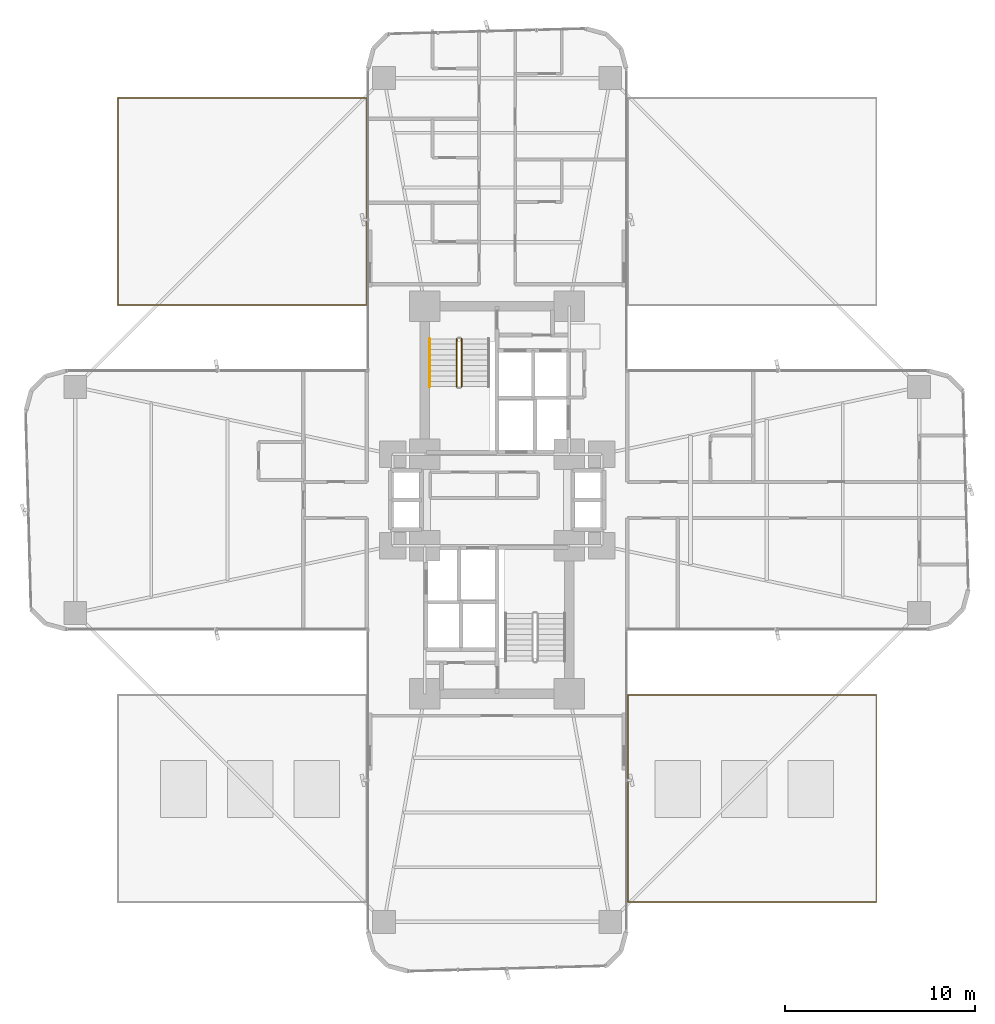
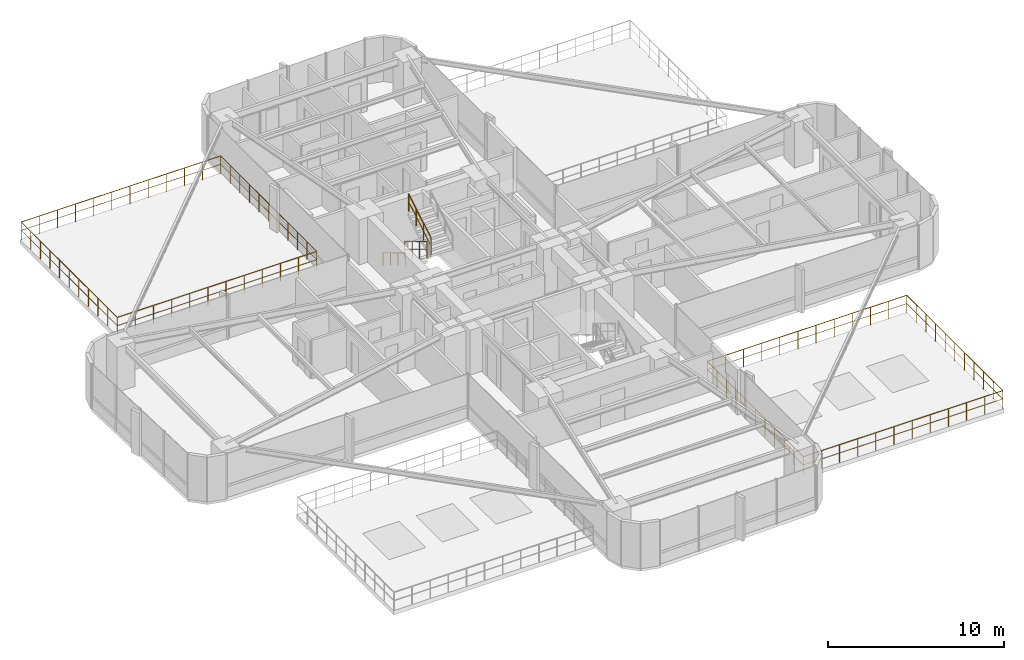
# One storey, part 26 of 27: 5 railings.
"""IFC4 building model written with IfcOpenShell, lengths in metres."""

from ifc_helpers import new_model, si_unit, direction, frame, origin, origin_2d, place, context, subcontext, project, spatial, circle, extrude, material, type_object, element, save


model = new_model("IFC4")

# Units and contexts
model_context = context("Model", 3, precision=1e-05, world=origin(), true_north=direction((0.0, 1.0)))
body_context = subcontext(model_context, "Body", "Model", "MODEL_VIEW")
ifc_project = project(units=[si_unit("LENGTHUNIT", "METRE"), si_unit("AREAUNIT", "SQUARE_METRE"), si_unit("VOLUMEUNIT", "CUBIC_METRE"), si_unit("PLANEANGLEUNIT", "RADIAN"), si_unit("MASSUNIT", "GRAM", prefix="KILO")], contexts=[model_context])

# Site, building, storey
site_placement = place(None, origin())
site = spatial("IfcSite", under=ifc_project, at=site_placement, CompositionType="ELEMENT")
building_placement = place(site_placement, origin())
building = spatial("IfcBuilding", under=site, at=building_placement, Name="Sahyath Konkavel Grand Hotel", CompositionType="ELEMENT")
storey_placement = place(building_placement, frame((0.0, 0.0, 23.10009765625)))
storey = spatial("IfcBuildingStorey", under=building, at=storey_placement, Name="L05", CompositionType="ELEMENT", Elevation=23.10009765625)

# Railings
ifc_material_1 = material(Name="Steel E350", Category="steel")
railing_type_1 = type_object("IfcRailingType", Name="RLG-STAIR-GRD", PredefinedType="GUARDRAIL", material=ifc_material_1)
railing_1_placement = place(storey_placement, frame((-2.1298828125, 8.47998046875, 0.16748046875)))
element("IfcRailing", 1, at=railing_1_placement, inside=storey, type_object=railing_type_1, Name="L05 ST-1 stair guard 1", PredefinedType="GUARDRAIL", context=body_context, shape_type="SweptSolid", body=[
    extrude(circle(Radius=0.02392578125, at=origin_2d()), frame((0.0, -0.001708984375, 1.177001953125), z_axis=(0.0, -0.858196387827, 0.513321497621), x_axis=(1.0, 0.0, 0.0)), (0.0, 0.0, 1.0), 2.932373046875),
    extrude(circle(Radius=0.01416015625, at=origin_2d()), frame((0.0, -0.001708984375, 0.625), z_axis=(0.0, -0.858196387827, 0.513321497621), x_axis=(1.0, 0.0, 0.0)), (0.0, 0.0, 1.0), 2.932373046875),
    extrude(circle(Radius=0.02099609375, at=origin_2d()), origin(), (0.0, 0.0, 1.0), 1.15185546875),
    extrude(circle(Radius=0.02099609375, at=origin_2d()), frame((0.0, -0.840087890625, 0.50244140625)), (0.0, 0.0, 1.0), 1.15185546875),
    extrude(circle(Radius=0.02099609375, at=origin_2d()), frame((0.0, -1.679931640625, 1.0048828125)), (0.0, 0.0, 1.0), 1.15185546875),
    extrude(circle(Radius=0.02099609375, at=origin_2d()), frame((0.0, -2.52001953125, 1.50732421875)), (0.0, 0.0, 1.0), 1.15185546875),
])
railing_2_placement = place(storey_placement, frame((-1.8701171875, 5.9599609375, 1.84228515625)))
element("IfcRailing", 2, at=railing_2_placement, inside=storey, type_object=railing_type_1, Name="L05 ST-1 stair guard 3", PredefinedType="GUARDRAIL", context=body_context, shape_type="SweptSolid", body=[
    extrude(circle(Radius=0.02392578125, at=origin_2d()), frame((0.0, 0.001708984375, 1.177001953125), z_axis=(0.0, 0.858159760407, 0.513382728203), x_axis=(-1.0, 0.0, 0.0)), (0.0, 0.0, 1.0), 2.9326171875),
    extrude(circle(Radius=0.01416015625, at=origin_2d()), frame((0.0, 0.001708984375, 0.625), z_axis=(0.0, 0.858159760407, 0.513382728203), x_axis=(-1.0, 0.0, 0.0)), (0.0, 0.0, 1.0), 2.9326171875),
    extrude(circle(Radius=0.02099609375, at=origin_2d()), origin(), (0.0, 0.0, 1.0), 1.15185546875),
    extrude(circle(Radius=0.02099609375, at=origin_2d()), frame((0.0, 0.840087890625, 0.50244140625)), (0.0, 0.0, 1.0), 1.15185546875),
    extrude(circle(Radius=0.02099609375, at=origin_2d()), frame((0.0, 1.679931640625, 1.005126953125)), (0.0, 0.0, 1.0), 1.15185546875),
    extrude(circle(Radius=0.02099609375, at=origin_2d()), frame((0.0, 2.52001953125, 1.507568359375)), (0.0, 0.0, 1.0), 1.15185546875),
])
ifc_material_2 = material(Name="Anodised Bronze Aluminium", Category="aluminium")
railing_type_2 = type_object("IfcRailingType", Name="RLG-STAIR-HND", PredefinedType="HANDRAIL", material=ifc_material_2)
railing_3_placement = place(storey_placement, frame((-3.550048828125, 8.47998046875, 0.16748046875)))
element("IfcRailing", 3, at=railing_3_placement, inside=storey, type_object=railing_type_2, Name="L05 ST-1 stair handrail 1", PredefinedType="HANDRAIL", context=body_context, shape_type="SweptSolid", body=[
    extrude(circle(Radius=0.02392578125, at=origin_2d()), frame((0.0, -0.001708984375, 0.876953125), z_axis=(0.0, -0.858196387827, 0.513321497621), x_axis=(1.0, 0.0, 0.0)), (0.0, 0.0, 1.0), 2.932373046875),
    extrude(circle(Radius=0.02099609375, at=origin_2d()), origin(), (0.0, 0.0, 1.0), 0.851806640625),
    extrude(circle(Radius=0.02099609375, at=origin_2d()), frame((0.0, -0.840087890625, 0.50244140625)), (0.0, 0.0, 1.0), 0.851806640625),
    extrude(circle(Radius=0.02099609375, at=origin_2d()), frame((0.0, -1.679931640625, 1.0048828125)), (0.0, 0.0, 1.0), 0.851806640625),
    extrude(circle(Radius=0.02099609375, at=origin_2d()), frame((0.0, -2.52001953125, 1.50732421875)), (0.0, 0.0, 1.0), 0.851806640625),
])
ifc_material_3 = material(Name="Warm Buff Sandstone & Bronze Balustrade", Category="masonry")
railing_type_3 = type_object("IfcRailingType", Name="RLG-TERR-1250", PredefinedType="BALUSTRADE", material=ifc_material_3)
railing_4_placement = place(storey_placement, frame((-19.949951171875, 10.25, 0.0)))
element("IfcRailing", 4, at=railing_4_placement, inside=storey, type_object=railing_type_3, Name="Podium Roof Terrace Guard NW", PredefinedType="BALUSTRADE", context=body_context, shape_type="SweptSolid", body=[
    extrude(circle(Radius=0.02392578125, at=origin_2d()), frame((0.001953125, 0.0, 1.22607421875), z_axis=(1.0, 0.0, 0.0), x_axis=(0.0, 1.0, 0.0)), (0.0, 0.0, 1.0), 13.066162109375),
    extrude(circle(Radius=0.01416015625, at=origin_2d()), frame((0.001953125, 0.0, 0.64990234375), z_axis=(1.0, 0.0, 0.0), x_axis=(0.0, 1.0, 0.0)), (0.0, 0.0, 1.0), 13.066162109375),
    extrude(circle(Radius=0.02392578125, at=origin_2d()), frame((13.070068359375, 0.001953125, 1.22607421875), z_axis=(0.0, 1.0, 0.0), x_axis=(-1.0, 0.0, 0.0)), (0.0, 0.0, 1.0), 10.89599609375),
    extrude(circle(Radius=0.01416015625, at=origin_2d()), frame((13.070068359375, 0.001953125, 0.64990234375), z_axis=(0.0, 1.0, 0.0), x_axis=(-1.0, 0.0, 0.0)), (0.0, 0.0, 1.0), 10.89599609375),
    extrude(circle(Radius=0.02392578125, at=origin_2d()), frame((13.068115234375, 10.89990234375, 1.22607421875), z_axis=(-1.0, 0.0, 0.0), x_axis=(0.0, -1.0, 0.0)), (0.0, 0.0, 1.0), 13.066162109375),
    extrude(circle(Radius=0.01416015625, at=origin_2d()), frame((13.068115234375, 10.89990234375, 0.64990234375), z_axis=(-1.0, 0.0, 0.0), x_axis=(0.0, -1.0, 0.0)), (0.0, 0.0, 1.0), 13.066162109375),
    extrude(circle(Radius=0.02392578125, at=origin_2d()), frame((0.0, 10.89794921875, 1.22607421875), z_axis=(0.0, -1.0, 0.0), x_axis=(1.0, 0.0, 0.0)), (0.0, 0.0, 1.0), 10.89599609375),
    extrude(circle(Radius=0.01416015625, at=origin_2d()), frame((0.0, 10.89794921875, 0.64990234375), z_axis=(0.0, -1.0, 0.0), x_axis=(1.0, 0.0, 0.0)), (0.0, 0.0, 1.0), 10.89599609375),
    extrude(circle(Radius=0.02099609375, at=origin_2d()), origin(), (0.0, 0.0, 1.0), 1.201904296875),
    extrude(circle(Radius=0.02099609375, at=origin_2d()), frame((1.188232421875, 0.0, 0.0)), (0.0, 0.0, 1.0), 1.201904296875),
    extrude(circle(Radius=0.02099609375, at=origin_2d()), frame((2.37646484375, 0.0, 0.0)), (0.0, 0.0, 1.0), 1.201904296875),
    extrude(circle(Radius=0.02099609375, at=origin_2d()), frame((3.564453125, 0.0, 0.0)), (0.0, 0.0, 1.0), 1.201904296875),
    extrude(circle(Radius=0.02099609375, at=origin_2d()), frame((4.752685546875, 0.0, 0.0)), (0.0, 0.0, 1.0), 1.201904296875),
    extrude(circle(Radius=0.02099609375, at=origin_2d()), frame((5.94091796875, 0.0, 0.0)), (0.0, 0.0, 1.0), 1.201904296875),
    extrude(circle(Radius=0.02099609375, at=origin_2d()), frame((7.129150390625, 0.0, 0.0)), (0.0, 0.0, 1.0), 1.201904296875),
    extrude(circle(Radius=0.02099609375, at=origin_2d()), frame((8.3173828125, 0.0, 0.0)), (0.0, 0.0, 1.0), 1.201904296875),
    extrude(circle(Radius=0.02099609375, at=origin_2d()), frame((9.505615234375, 0.0, 0.0)), (0.0, 0.0, 1.0), 1.201904296875),
    extrude(circle(Radius=0.02099609375, at=origin_2d()), frame((10.693603515625, 0.0, 0.0)), (0.0, 0.0, 1.0), 1.201904296875),
    extrude(circle(Radius=0.02099609375, at=origin_2d()), frame((11.8818359375, 0.0, 0.0)), (0.0, 0.0, 1.0), 1.201904296875),
    extrude(circle(Radius=0.02099609375, at=origin_2d()), frame((13.070068359375, 0.0, 0.0)), (0.0, 0.0, 1.0), 1.201904296875),
    extrude(circle(Radius=0.02099609375, at=origin_2d()), frame((13.070068359375, 1.090087890625, 0.0)), (0.0, 0.0, 1.0), 1.201904296875),
    extrude(circle(Radius=0.02099609375, at=origin_2d()), frame((13.070068359375, 2.179931640625, 0.0)), (0.0, 0.0, 1.0), 1.201904296875),
    extrude(circle(Radius=0.02099609375, at=origin_2d()), frame((13.070068359375, 3.27001953125, 0.0)), (0.0, 0.0, 1.0), 1.201904296875),
    extrude(circle(Radius=0.02099609375, at=origin_2d()), frame((13.070068359375, 4.35986328125, 0.0)), (0.0, 0.0, 1.0), 1.201904296875),
    extrude(circle(Radius=0.02099609375, at=origin_2d()), frame((13.070068359375, 5.449951171875, 0.0)), (0.0, 0.0, 1.0), 1.201904296875),
    extrude(circle(Radius=0.02099609375, at=origin_2d()), frame((13.070068359375, 6.5400390625, 0.0)), (0.0, 0.0, 1.0), 1.201904296875),
    extrude(circle(Radius=0.02099609375, at=origin_2d()), frame((13.070068359375, 7.6298828125, 0.0)), (0.0, 0.0, 1.0), 1.201904296875),
    extrude(circle(Radius=0.02099609375, at=origin_2d()), frame((13.070068359375, 8.719970703125, 0.0)), (0.0, 0.0, 1.0), 1.201904296875),
    extrude(circle(Radius=0.02099609375, at=origin_2d()), frame((13.070068359375, 9.809814453125, 0.0)), (0.0, 0.0, 1.0), 1.201904296875),
    extrude(circle(Radius=0.02099609375, at=origin_2d()), frame((13.070068359375, 10.89990234375, 0.0)), (0.0, 0.0, 1.0), 1.201904296875),
    extrude(circle(Radius=0.02099609375, at=origin_2d()), frame((11.8818359375, 10.89990234375, 0.0)), (0.0, 0.0, 1.0), 1.201904296875),
    extrude(circle(Radius=0.02099609375, at=origin_2d()), frame((10.693603515625, 10.89990234375, 0.0)), (0.0, 0.0, 1.0), 1.201904296875),
    extrude(circle(Radius=0.02099609375, at=origin_2d()), frame((9.505615234375, 10.89990234375, 0.0)), (0.0, 0.0, 1.0), 1.201904296875),
    extrude(circle(Radius=0.02099609375, at=origin_2d()), frame((8.3173828125, 10.89990234375, 0.0)), (0.0, 0.0, 1.0), 1.201904296875),
    extrude(circle(Radius=0.02099609375, at=origin_2d()), frame((7.129150390625, 10.89990234375, 0.0)), (0.0, 0.0, 1.0), 1.201904296875),
    extrude(circle(Radius=0.02099609375, at=origin_2d()), frame((5.94091796875, 10.89990234375, 0.0)), (0.0, 0.0, 1.0), 1.201904296875),
    extrude(circle(Radius=0.02099609375, at=origin_2d()), frame((4.752685546875, 10.89990234375, 0.0)), (0.0, 0.0, 1.0), 1.201904296875),
    extrude(circle(Radius=0.02099609375, at=origin_2d()), frame((3.564453125, 10.89990234375, 0.0)), (0.0, 0.0, 1.0), 1.201904296875),
    extrude(circle(Radius=0.02099609375, at=origin_2d()), frame((2.37646484375, 10.89990234375, 0.0)), (0.0, 0.0, 1.0), 1.201904296875),
    extrude(circle(Radius=0.02099609375, at=origin_2d()), frame((1.188232421875, 10.89990234375, 0.0)), (0.0, 0.0, 1.0), 1.201904296875),
    extrude(circle(Radius=0.02099609375, at=origin_2d()), frame((0.0, 10.89990234375, 0.0)), (0.0, 0.0, 1.0), 1.201904296875),
    extrude(circle(Radius=0.02099609375, at=origin_2d()), frame((0.0, 9.809814453125, 0.0)), (0.0, 0.0, 1.0), 1.201904296875),
    extrude(circle(Radius=0.02099609375, at=origin_2d()), frame((0.0, 8.719970703125, 0.0)), (0.0, 0.0, 1.0), 1.201904296875),
    extrude(circle(Radius=0.02099609375, at=origin_2d()), frame((0.0, 7.6298828125, 0.0)), (0.0, 0.0, 1.0), 1.201904296875),
    extrude(circle(Radius=0.02099609375, at=origin_2d()), frame((0.0, 6.5400390625, 0.0)), (0.0, 0.0, 1.0), 1.201904296875),
    extrude(circle(Radius=0.02099609375, at=origin_2d()), frame((0.0, 5.449951171875, 0.0)), (0.0, 0.0, 1.0), 1.201904296875),
    extrude(circle(Radius=0.02099609375, at=origin_2d()), frame((0.0, 4.35986328125, 0.0)), (0.0, 0.0, 1.0), 1.201904296875),
    extrude(circle(Radius=0.02099609375, at=origin_2d()), frame((0.0, 3.27001953125, 0.0)), (0.0, 0.0, 1.0), 1.201904296875),
    extrude(circle(Radius=0.02099609375, at=origin_2d()), frame((0.0, 2.179931640625, 0.0)), (0.0, 0.0, 1.0), 1.201904296875),
    extrude(circle(Radius=0.02099609375, at=origin_2d()), frame((0.0, 1.090087890625, 0.0)), (0.0, 0.0, 1.0), 1.201904296875),
])
railing_5_placement = place(storey_placement, frame((6.8798828125, -21.14990234375, 0.0)))
element("IfcRailing", 5, at=railing_5_placement, inside=storey, type_object=railing_type_3, Name="Podium Roof Terrace Guard SE", PredefinedType="BALUSTRADE", context=body_context, shape_type="SweptSolid", body=[
    extrude(circle(Radius=0.02392578125, at=origin_2d()), frame((0.001953125, 0.0, 1.22607421875), z_axis=(1.0, 0.0, 0.0), x_axis=(0.0, 1.0, 0.0)), (0.0, 0.0, 1.0), 13.066162109375),
    extrude(circle(Radius=0.01416015625, at=origin_2d()), frame((0.001953125, 0.0, 0.64990234375), z_axis=(1.0, 0.0, 0.0), x_axis=(0.0, 1.0, 0.0)), (0.0, 0.0, 1.0), 13.066162109375),
    extrude(circle(Radius=0.02392578125, at=origin_2d()), frame((13.070068359375, 0.001953125, 1.22607421875), z_axis=(0.0, 1.0, 0.0), x_axis=(-1.0, 0.0, 0.0)), (0.0, 0.0, 1.0), 10.89599609375),
    extrude(circle(Radius=0.01416015625, at=origin_2d()), frame((13.070068359375, 0.001953125, 0.64990234375), z_axis=(0.0, 1.0, 0.0), x_axis=(-1.0, 0.0, 0.0)), (0.0, 0.0, 1.0), 10.89599609375),
    extrude(circle(Radius=0.02392578125, at=origin_2d()), frame((13.068115234375, 10.89990234375, 1.22607421875), z_axis=(-1.0, 0.0, 0.0), x_axis=(0.0, -1.0, 0.0)), (0.0, 0.0, 1.0), 13.066162109375),
    extrude(circle(Radius=0.01416015625, at=origin_2d()), frame((13.068115234375, 10.89990234375, 0.64990234375), z_axis=(-1.0, 0.0, 0.0), x_axis=(0.0, -1.0, 0.0)), (0.0, 0.0, 1.0), 13.066162109375),
    extrude(circle(Radius=0.02392578125, at=origin_2d()), frame((0.0, 10.89794921875, 1.22607421875), z_axis=(0.0, -1.0, 0.0), x_axis=(1.0, 0.0, 0.0)), (0.0, 0.0, 1.0), 10.89599609375),
    extrude(circle(Radius=0.01416015625, at=origin_2d()), frame((0.0, 10.89794921875, 0.64990234375), z_axis=(0.0, -1.0, 0.0), x_axis=(1.0, 0.0, 0.0)), (0.0, 0.0, 1.0), 10.89599609375),
    extrude(circle(Radius=0.02099609375, at=origin_2d()), origin(), (0.0, 0.0, 1.0), 1.201904296875),
    extrude(circle(Radius=0.02099609375, at=origin_2d()), frame((1.188232421875, 0.0, 0.0)), (0.0, 0.0, 1.0), 1.201904296875),
    extrude(circle(Radius=0.02099609375, at=origin_2d()), frame((2.37646484375, 0.0, 0.0)), (0.0, 0.0, 1.0), 1.201904296875),
    extrude(circle(Radius=0.02099609375, at=origin_2d()), frame((3.564453125, 0.0, 0.0)), (0.0, 0.0, 1.0), 1.201904296875),
    extrude(circle(Radius=0.02099609375, at=origin_2d()), frame((4.752685546875, 0.0, 0.0)), (0.0, 0.0, 1.0), 1.201904296875),
    extrude(circle(Radius=0.02099609375, at=origin_2d()), frame((5.94091796875, 0.0, 0.0)), (0.0, 0.0, 1.0), 1.201904296875),
    extrude(circle(Radius=0.02099609375, at=origin_2d()), frame((7.129150390625, 0.0, 0.0)), (0.0, 0.0, 1.0), 1.201904296875),
    extrude(circle(Radius=0.02099609375, at=origin_2d()), frame((8.3173828125, 0.0, 0.0)), (0.0, 0.0, 1.0), 1.201904296875),
    extrude(circle(Radius=0.02099609375, at=origin_2d()), frame((9.505615234375, 0.0, 0.0)), (0.0, 0.0, 1.0), 1.201904296875),
    extrude(circle(Radius=0.02099609375, at=origin_2d()), frame((10.693603515625, 0.0, 0.0)), (0.0, 0.0, 1.0), 1.201904296875),
    extrude(circle(Radius=0.02099609375, at=origin_2d()), frame((11.8818359375, 0.0, 0.0)), (0.0, 0.0, 1.0), 1.201904296875),
    extrude(circle(Radius=0.02099609375, at=origin_2d()), frame((13.070068359375, 0.0, 0.0)), (0.0, 0.0, 1.0), 1.201904296875),
    extrude(circle(Radius=0.02099609375, at=origin_2d()), frame((13.070068359375, 1.090087890625, 0.0)), (0.0, 0.0, 1.0), 1.201904296875),
    extrude(circle(Radius=0.02099609375, at=origin_2d()), frame((13.070068359375, 2.179931640625, 0.0)), (0.0, 0.0, 1.0), 1.201904296875),
    extrude(circle(Radius=0.02099609375, at=origin_2d()), frame((13.070068359375, 3.27001953125, 0.0)), (0.0, 0.0, 1.0), 1.201904296875),
    extrude(circle(Radius=0.02099609375, at=origin_2d()), frame((13.070068359375, 4.35986328125, 0.0)), (0.0, 0.0, 1.0), 1.201904296875),
    extrude(circle(Radius=0.02099609375, at=origin_2d()), frame((13.070068359375, 5.449951171875, 0.0)), (0.0, 0.0, 1.0), 1.201904296875),
    extrude(circle(Radius=0.02099609375, at=origin_2d()), frame((13.070068359375, 6.5400390625, 0.0)), (0.0, 0.0, 1.0), 1.201904296875),
    extrude(circle(Radius=0.02099609375, at=origin_2d()), frame((13.070068359375, 7.6298828125, 0.0)), (0.0, 0.0, 1.0), 1.201904296875),
    extrude(circle(Radius=0.02099609375, at=origin_2d()), frame((13.070068359375, 8.719970703125, 0.0)), (0.0, 0.0, 1.0), 1.201904296875),
    extrude(circle(Radius=0.02099609375, at=origin_2d()), frame((13.070068359375, 9.809814453125, 0.0)), (0.0, 0.0, 1.0), 1.201904296875),
    extrude(circle(Radius=0.02099609375, at=origin_2d()), frame((13.070068359375, 10.89990234375, 0.0)), (0.0, 0.0, 1.0), 1.201904296875),
    extrude(circle(Radius=0.02099609375, at=origin_2d()), frame((11.8818359375, 10.89990234375, 0.0)), (0.0, 0.0, 1.0), 1.201904296875),
    extrude(circle(Radius=0.02099609375, at=origin_2d()), frame((10.693603515625, 10.89990234375, 0.0)), (0.0, 0.0, 1.0), 1.201904296875),
    extrude(circle(Radius=0.02099609375, at=origin_2d()), frame((9.505615234375, 10.89990234375, 0.0)), (0.0, 0.0, 1.0), 1.201904296875),
    extrude(circle(Radius=0.02099609375, at=origin_2d()), frame((8.3173828125, 10.89990234375, 0.0)), (0.0, 0.0, 1.0), 1.201904296875),
    extrude(circle(Radius=0.02099609375, at=origin_2d()), frame((7.129150390625, 10.89990234375, 0.0)), (0.0, 0.0, 1.0), 1.201904296875),
    extrude(circle(Radius=0.02099609375, at=origin_2d()), frame((5.94091796875, 10.89990234375, 0.0)), (0.0, 0.0, 1.0), 1.201904296875),
    extrude(circle(Radius=0.02099609375, at=origin_2d()), frame((4.752685546875, 10.89990234375, 0.0)), (0.0, 0.0, 1.0), 1.201904296875),
    extrude(circle(Radius=0.02099609375, at=origin_2d()), frame((3.564453125, 10.89990234375, 0.0)), (0.0, 0.0, 1.0), 1.201904296875),
    extrude(circle(Radius=0.02099609375, at=origin_2d()), frame((2.37646484375, 10.89990234375, 0.0)), (0.0, 0.0, 1.0), 1.201904296875),
    extrude(circle(Radius=0.02099609375, at=origin_2d()), frame((1.188232421875, 10.89990234375, 0.0)), (0.0, 0.0, 1.0), 1.201904296875),
    extrude(circle(Radius=0.02099609375, at=origin_2d()), frame((0.0, 10.89990234375, 0.0)), (0.0, 0.0, 1.0), 1.201904296875),
    extrude(circle(Radius=0.02099609375, at=origin_2d()), frame((0.0, 9.809814453125, 0.0)), (0.0, 0.0, 1.0), 1.201904296875),
    extrude(circle(Radius=0.02099609375, at=origin_2d()), frame((0.0, 8.719970703125, 0.0)), (0.0, 0.0, 1.0), 1.201904296875),
    extrude(circle(Radius=0.02099609375, at=origin_2d()), frame((0.0, 7.6298828125, 0.0)), (0.0, 0.0, 1.0), 1.201904296875),
    extrude(circle(Radius=0.02099609375, at=origin_2d()), frame((0.0, 6.5400390625, 0.0)), (0.0, 0.0, 1.0), 1.201904296875),
    extrude(circle(Radius=0.02099609375, at=origin_2d()), frame((0.0, 5.449951171875, 0.0)), (0.0, 0.0, 1.0), 1.201904296875),
    extrude(circle(Radius=0.02099609375, at=origin_2d()), frame((0.0, 4.35986328125, 0.0)), (0.0, 0.0, 1.0), 1.201904296875),
    extrude(circle(Radius=0.02099609375, at=origin_2d()), frame((0.0, 3.27001953125, 0.0)), (0.0, 0.0, 1.0), 1.201904296875),
    extrude(circle(Radius=0.02099609375, at=origin_2d()), frame((0.0, 2.179931640625, 0.0)), (0.0, 0.0, 1.0), 1.201904296875),
    extrude(circle(Radius=0.02099609375, at=origin_2d()), frame((0.0, 1.090087890625, 0.0)), (0.0, 0.0, 1.0), 1.201904296875),
])

save(model, "model.ifc")
